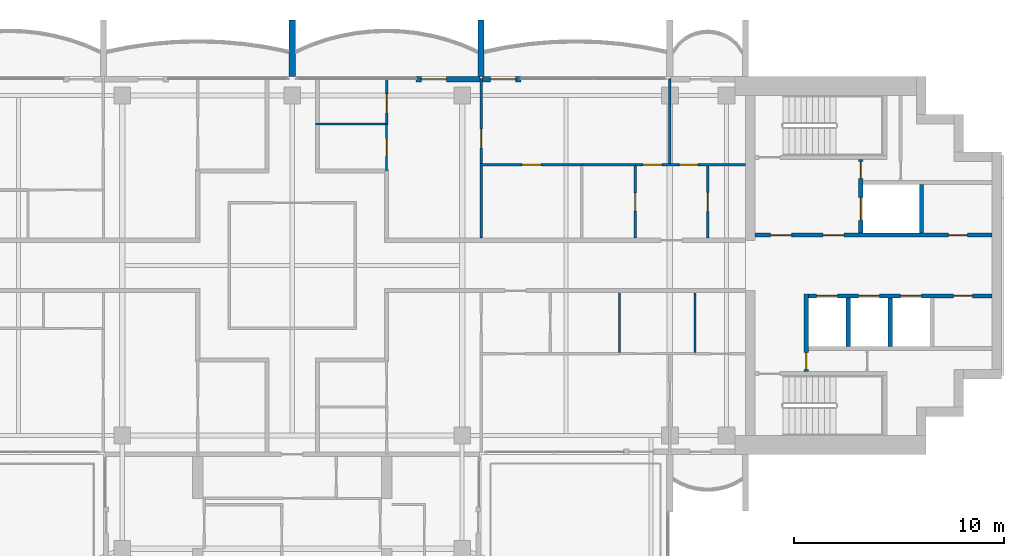
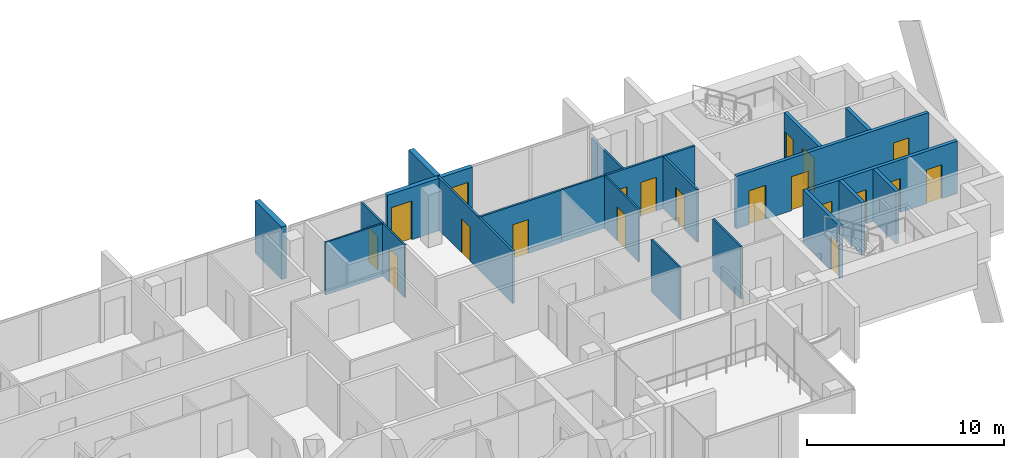
# One storey, part 11 of 16: 23 walls, 20 doors, 20 openings.
"""IFC4 building model written with IfcOpenShell, lengths in metres."""

from ifc_helpers import new_model, si_unit, direction, frame, frame_2d, origin, place, context, subcontext, project, spatial, rectangle, extrude, material, layer, layer_set, type_object, element, fill, save


model = new_model("IFC4")

# Units and contexts
model_context = context("Model", 3, precision=1e-05, world=origin(), true_north=direction((0.0, 1.0)))
body_context = subcontext(model_context, "Body", "Model", "MODEL_VIEW")
ifc_project = project(units=[si_unit("LENGTHUNIT", "METRE"), si_unit("AREAUNIT", "SQUARE_METRE"), si_unit("VOLUMEUNIT", "CUBIC_METRE"), si_unit("PLANEANGLEUNIT", "RADIAN"), si_unit("MASSUNIT", "GRAM", prefix="KILO")], contexts=[model_context])

# Site, building, storey
site_placement = place(None, origin())
site = spatial("IfcSite", under=ifc_project, at=site_placement, CompositionType="ELEMENT")
building_placement = place(site_placement, origin())
building = spatial("IfcBuilding", under=site, at=building_placement, Name="Perihelion Cross Residences", CompositionType="ELEMENT")
storey_placement = place(building_placement, frame((0.0, 0.0, 264.0)))
storey = spatial("IfcBuildingStorey", under=building, at=storey_placement, Name="L67", CompositionType="ELEMENT", Elevation=264.0)

# Wall, opening, door
ifc_material_1 = material(Name="Concrete C30/37, bronze-clad", Category="concrete")
ifc_layer_1 = layer(ifc_material_1, 0.25)
ifc_layer_set_1 = layer_set([ifc_layer_1], Name="Bronze-clad pier wall 250")
wall_type_1 = type_object("IfcWallType", Name="Bronze-clad pier wall 250", PredefinedType="SOLIDWALL", material=ifc_layer_set_1)
wall_1_placement = place(storey_placement, frame((10.89990234375, 8.875, 0.0), z_axis=(0.0, 0.0, 1.0), x_axis=(-1.0, 0.0, 0.0)))
wall_1 = element("IfcWall", 1, at=wall_1_placement, inside=storey, type_object=wall_type_1, Name="Wall FW1 L67 east side north bay 2 pier", PredefinedType="SOLIDWALL", context=body_context, shape_type="SweptSolid", body=[
    extrude(rectangle(XDim=1.83984375, YDim=0.25, at=frame_2d((0.919921875, 0.0))), origin(), (0.0, 0.0, 1.0), 3.25),
])
opening_1_placement = place(wall_1_placement, frame((0.25, 0.0, 0.0)))
opening_1 = element("IfcOpeningElement", 2, at=opening_1_placement, cuts=wall_1, Name="Opening L67.E02", PredefinedType="OPENING", context=body_context, shape_type="SweptSolid", body=[
    extrude(rectangle(XDim=1.199951171875, YDim=2.39990234375, at=frame_2d((0.60009765625, 1.199951171875))), frame((0.0, 0.135009765625, 0.0), z_axis=(0.0, -1.0, 0.0), x_axis=(1.0, 0.0, 0.0)), (0.0, 0.0, 1.0), 0.27001953125),
])
ifc_material_2 = material(Name="Bronze anodised aluminium, glazed", Category="aluminium")
door_type_1 = type_object("IfcDoorType", Name="Balcony door 1200 x 2400", OperationType="NOTDEFINED", PredefinedType="DOOR", material=ifc_material_2)
door_1_placement = place(opening_1_placement, origin())
door_1 = element("IfcDoor", 3, at=door_1_placement, inside=storey, type_object=door_type_1, Name="Door L67.E02 east side north bay 2", OperationType="SINGLE_SWING_RIGHT", OverallHeight=2.39990234375, OverallWidth=1.199951171875, PredefinedType="DOOR", context=body_context, shape_type="SweptSolid", body=[
    extrude(rectangle(XDim=1.199951171875, YDim=2.39990234375, at=frame_2d((0.60009765625, 1.199951171875))), frame((0.0, 0.02490234375, 0.0), z_axis=(0.0, -1.0, 0.0), x_axis=(1.0, 0.0, 0.0)), (0.0, 0.0, 1.0), 0.050048828125),
])
fill(opening_1, door_1)

wall_2_placement = place(storey_placement, frame((8.93994140625, 8.875, 0.0), z_axis=(0.0, 0.0, 1.0), x_axis=(-1.0, 0.0, 0.0)))
wall_2 = element("IfcWall", 4, at=wall_2_placement, inside=storey, type_object=wall_type_1, Name="Wall FW1 L67 north side east bay 1 pier", PredefinedType="SOLIDWALL", context=body_context, shape_type="SweptSolid", body=[
    extrude(rectangle(XDim=3.0400390625, YDim=0.25, at=frame_2d((1.52001953125, 0.0))), origin(), (0.0, 0.0, 1.0), 3.25),
])
opening_2_placement = place(wall_2_placement, frame((1.590087890625, 0.0, 0.0)))
opening_2 = element("IfcOpeningElement", 5, at=opening_2_placement, cuts=wall_2, Name="Opening L67.E03", PredefinedType="OPENING", context=body_context, shape_type="SweptSolid", body=[
    extrude(rectangle(XDim=1.199951171875, YDim=2.39990234375, at=frame_2d((0.60009765625, 1.199951171875))), frame((0.0, 0.135009765625, 0.0), z_axis=(0.0, -1.0, 0.0), x_axis=(1.0, 0.0, 0.0)), (0.0, 0.0, 1.0), 0.27001953125),
])
door_2_placement = place(opening_2_placement, origin())
door_2 = element("IfcDoor", 6, at=door_2_placement, inside=storey, type_object=door_type_1, Name="Door L67.E03 north side east bay 1", OperationType="SINGLE_SWING_LEFT", OverallHeight=2.39990234375, OverallWidth=1.199951171875, PredefinedType="DOOR", context=body_context, shape_type="SweptSolid", body=[
    extrude(rectangle(XDim=1.199951171875, YDim=2.39990234375, at=frame_2d((0.60009765625, 1.199951171875))), frame((0.0, 0.02490234375, 0.0), z_axis=(0.0, -1.0, 0.0), x_axis=(1.0, 0.0, 0.0)), (0.0, 0.0, 1.0), 0.050048828125),
])
fill(opening_2, door_2)

ifc_material_3 = material(Name="Concrete C50/60", Category="concrete")
ifc_layer_2 = layer(ifc_material_3, 0.199951171875)
ifc_layer_set_2 = layer_set([ifc_layer_2], Name="Lobby wall 200")
wall_type_2 = type_object("IfcWallType", Name="Lobby wall 200", PredefinedType="SOLIDWALL", material=ifc_layer_set_2)
wall_3_placement = place(storey_placement, frame((24.5, -5.050048828125, 0.0), z_axis=(0.0, 0.0, 1.0), x_axis=(0.0, 1.0, 0.0)))
wall_3 = element("IfcWall", 7, at=wall_3_placement, inside=storey, type_object=wall_type_2, Name="East core lobby wall", PredefinedType="SOLIDWALL", context=body_context, shape_type="SweptSolid", body=[
    extrude(rectangle(XDim=3.699951171875, YDim=0.199951171875, at=frame_2d((1.85009765625, 0.0))), origin(), (0.0, 0.0, 1.0), 3.25),
])
opening_3_placement = place(wall_3_placement, frame((0.10009765625, 0.0, 0.0)))
opening_3 = element("IfcOpeningElement", 8, at=opening_3_placement, cuts=wall_3, Name="Opening L67.C08", PredefinedType="OPENING", context=body_context, shape_type="SweptSolid", body=[
    extrude(rectangle(XDim=0.800048828125, YDim=2.10009765625, at=frame_2d((0.39990234375, 1.050048828125))), frame((0.0, 0.10986328125, 0.0), z_axis=(0.0, -1.0, 0.0), x_axis=(1.0, 0.0, 0.0)), (0.0, 0.0, 1.0), 0.219970703125),
])
ifc_material_4 = material(Name="Steel, powder coated", Category="steel")
door_type_2 = type_object("IfcDoorType", Name="Riser door 800", OperationType="SINGLE_SWING_LEFT", PredefinedType="DOOR", material=ifc_material_4)
door_3_placement = place(opening_3_placement, origin())
door_3 = element("IfcDoor", 9, at=door_3_placement, inside=storey, type_object=door_type_2, Name="East core riser door", OperationType="SINGLE_SWING_LEFT", OverallHeight=2.10009765625, OverallWidth=0.800048828125, PredefinedType="DOOR", context=body_context, shape_type="SweptSolid", body=[
    extrude(rectangle(XDim=0.800048828125, YDim=2.10009765625, at=frame_2d((0.39990234375, 1.050048828125))), frame((0.0, 0.02490234375, 0.0), z_axis=(0.0, -1.0, 0.0), x_axis=(1.0, 0.0, 0.0)), (0.0, 0.0, 1.0), 0.050048828125),
])
fill(opening_3, door_3)

ifc_material_5 = material(Name="Plasterboard partition")
ifc_layer_3 = layer(ifc_material_5, 0.1201171875)
ifc_layer_set_3 = layer_set([ifc_layer_3], Name="Partition wall 120")
wall_type_3 = type_object("IfcWallType", Name="Partition wall 120", PredefinedType="PARTITIONING", material=ifc_layer_set_3)
wall_4_placement = place(storey_placement, frame((8.93994140625, 4.800048828125, 0.0), z_axis=(0.0, 0.0, 1.0), x_axis=(1.0, 0.0, 0.0)))
wall_4 = element("IfcWall", 10, at=wall_4_placement, inside=storey, type_object=wall_type_3, Name="Partition L67 W023", PredefinedType="PARTITIONING", context=body_context, shape_type="SweptSolid", body=[
    extrude(rectangle(XDim=4.860107421875, YDim=0.1201171875, at=frame_2d((2.43017578125, 0.0))), origin(), (0.0, 0.0, 1.0), 3.25),
])
opening_4_placement = place(wall_4_placement, frame((2.010009765625, 0.0, 0.0)))
opening_4 = element("IfcOpeningElement", 11, at=opening_4_placement, cuts=wall_4, Name="Opening L67.A05", PredefinedType="OPENING", context=body_context, shape_type="SweptSolid", body=[
    extrude(rectangle(XDim=0.89990234375, YDim=2.10009765625, at=frame_2d((0.449951171875, 1.050048828125))), frame((0.0, 0.070068359375, 0.0), z_axis=(0.0, -1.0, 0.0), x_axis=(1.0, 0.0, 0.0)), (0.0, 0.0, 1.0), 0.14013671875),
])
ifc_material_6 = material(Name="Timber door leaf", Category="wood")
door_type_3 = type_object("IfcDoorType", Name="Interior room door 900 x 2100", OperationType="SINGLE_SWING_LEFT", PredefinedType="DOOR", material=ifc_material_6)
door_4_placement = place(opening_4_placement, origin())
door_4 = element("IfcDoor", 12, at=door_4_placement, inside=storey, type_object=door_type_3, Name="Door L67.A05", OperationType="SINGLE_SWING_RIGHT", OverallHeight=2.10009765625, OverallWidth=0.89990234375, PredefinedType="DOOR", context=body_context, shape_type="SweptSolid", body=[
    extrude(rectangle(XDim=0.89990234375, YDim=2.10009765625, at=frame_2d((0.449951171875, 1.050048828125))), frame((0.0, 0.02490234375, 0.0), z_axis=(0.0, -1.0, 0.0), x_axis=(1.0, 0.0, 0.0)), (0.0, 0.0, 1.0), 0.050048828125),
])
fill(opening_4, door_4)

wall_5_placement = place(storey_placement, frame((9.0, 1.300048828125, 0.0), z_axis=(0.0, 0.0, 1.0), x_axis=(0.0, 1.0, 0.0)))
wall_5 = element("IfcWall", 13, at=wall_5_placement, inside=storey, type_object=wall_type_3, Name="Partition L67 W024", PredefinedType="PARTITIONING", context=body_context, shape_type="SweptSolid", body=[
    extrude(rectangle(XDim=7.619873046875, YDim=0.1201171875, at=frame_2d((3.81005859375, 0.0))), origin(), (0.0, 0.0, 1.0), 3.25),
])
opening_5_placement = place(wall_5_placement, frame((4.300048828125, 0.0, 0.0)))
opening_5 = element("IfcOpeningElement", 14, at=opening_5_placement, cuts=wall_5, Name="Opening L67.A04", PredefinedType="OPENING", context=body_context, shape_type="SweptSolid", body=[
    extrude(rectangle(XDim=0.89990234375, YDim=2.10009765625, at=frame_2d((0.449951171875, 1.050048828125))), frame((0.0, 0.070068359375, 0.0), z_axis=(0.0, -1.0, 0.0), x_axis=(1.0, 0.0, 0.0)), (0.0, 0.0, 1.0), 0.14013671875),
])
door_5_placement = place(opening_5_placement, origin())
door_5 = element("IfcDoor", 15, at=door_5_placement, inside=storey, type_object=door_type_3, Name="Door L67.A04", OperationType="SINGLE_SWING_RIGHT", OverallHeight=2.10009765625, OverallWidth=0.89990234375, PredefinedType="DOOR", context=body_context, shape_type="SweptSolid", body=[
    extrude(rectangle(XDim=0.89990234375, YDim=2.10009765625, at=frame_2d((0.449951171875, 1.050048828125))), frame((0.0, 0.02490234375, 0.0), z_axis=(0.0, -1.0, 0.0), x_axis=(1.0, 0.0, 0.0)), (0.0, 0.0, 1.0), 0.050048828125),
])
fill(opening_5, door_5)

wall_6_placement = place(storey_placement, frame((19.800048828125, 4.739990234375, 0.0), z_axis=(0.0, 0.0, 1.0), x_axis=(0.0, -1.0, 0.0)))
wall_6 = element("IfcWall", 16, at=wall_6_placement, inside=storey, type_object=wall_type_3, Name="Partition L67 W027", PredefinedType="PARTITIONING", context=body_context, shape_type="SweptSolid", body=[
    extrude(rectangle(XDim=3.43994140625, YDim=0.1201171875, at=frame_2d((1.719970703125, 0.0))), origin(), (0.0, 0.0, 1.0), 3.25),
])
opening_6_placement = place(wall_6_placement, frame((1.27001953125, 0.0, 0.0)))
opening_6 = element("IfcOpeningElement", 17, at=opening_6_placement, cuts=wall_6, Name="Opening L67.A09", PredefinedType="OPENING", context=body_context, shape_type="SweptSolid", body=[
    extrude(rectangle(XDim=0.89990234375, YDim=2.10009765625, at=frame_2d((0.449951171875, 1.050048828125))), frame((0.0, 0.070068359375, 0.0), z_axis=(0.0, -1.0, 0.0), x_axis=(1.0, 0.0, 0.0)), (0.0, 0.0, 1.0), 0.14013671875),
])
door_6_placement = place(opening_6_placement, origin())
door_6 = element("IfcDoor", 18, at=door_6_placement, inside=storey, type_object=door_type_3, Name="Door L67.A09", OperationType="SINGLE_SWING_RIGHT", OverallHeight=2.10009765625, OverallWidth=0.89990234375, PredefinedType="DOOR", context=body_context, shape_type="SweptSolid", body=[
    extrude(rectangle(XDim=0.89990234375, YDim=2.10009765625, at=frame_2d((0.449951171875, 1.050048828125))), frame((0.0, 0.02490234375, 0.0), z_axis=(0.0, -1.0, 0.0), x_axis=(1.0, 0.0, 0.0)), (0.0, 0.0, 1.0), 0.050048828125),
])
fill(opening_6, door_6)

# Wall, openings, doors
wall_7_placement = place(storey_placement, frame((16.35009765625, 4.800048828125, 0.0), z_axis=(0.0, 0.0, 1.0), x_axis=(1.0, 0.0, 0.0)))
wall_7 = element("IfcWall", 19, at=wall_7_placement, inside=storey, type_object=wall_type_3, Name="Partition L67 W028", PredefinedType="PARTITIONING", context=body_context, shape_type="SweptSolid", body=[
    extrude(rectangle(XDim=5.25, YDim=0.1201171875, at=frame_2d((2.625, 0.0))), origin(), (0.0, 0.0, 1.0), 3.25),
])
opening_7_placement = place(wall_7_placement, frame((2.10009765625, 0.0, 0.0)))
opening_7 = element("IfcOpeningElement", 20, at=opening_7_placement, cuts=wall_7, Name="Opening L67.A07", PredefinedType="OPENING", context=body_context, shape_type="SweptSolid", body=[
    extrude(rectangle(XDim=0.89990234375, YDim=2.10009765625, at=frame_2d((0.449951171875, 1.050048828125))), frame((0.0, 0.070068359375, 0.0), z_axis=(0.0, -1.0, 0.0), x_axis=(1.0, 0.0, 0.0)), (0.0, 0.0, 1.0), 0.14013671875),
])
opening_8_placement = place(wall_7_placement, frame((0.375, 0.0, 0.0)))
opening_8 = element("IfcOpeningElement", 21, at=opening_8_placement, cuts=wall_7, Name="Opening L67.A08", PredefinedType="OPENING", context=body_context, shape_type="SweptSolid", body=[
    extrude(rectangle(XDim=0.89990234375, YDim=2.10009765625, at=frame_2d((0.449951171875, 1.050048828125))), frame((0.0, 0.070068359375, 0.0), z_axis=(0.0, -1.0, 0.0), x_axis=(1.0, 0.0, 0.0)), (0.0, 0.0, 1.0), 0.14013671875),
])
door_7_placement = place(opening_7_placement, origin())
door_7 = element("IfcDoor", 22, at=door_7_placement, inside=storey, type_object=door_type_3, Name="Door L67.A07", OperationType="SINGLE_SWING_LEFT", OverallHeight=2.10009765625, OverallWidth=0.89990234375, PredefinedType="DOOR", context=body_context, shape_type="SweptSolid", body=[
    extrude(rectangle(XDim=0.89990234375, YDim=2.10009765625, at=frame_2d((0.449951171875, 1.050048828125))), frame((0.0, 0.02490234375, 0.0), z_axis=(0.0, -1.0, 0.0), x_axis=(1.0, 0.0, 0.0)), (0.0, 0.0, 1.0), 0.050048828125),
])
fill(opening_7, door_7)
door_8_placement = place(opening_8_placement, origin())
door_8 = element("IfcDoor", 23, at=door_8_placement, inside=storey, type_object=door_type_3, Name="Door L67.A08", OperationType="SINGLE_SWING_RIGHT", OverallHeight=2.10009765625, OverallWidth=0.89990234375, PredefinedType="DOOR", context=body_context, shape_type="SweptSolid", body=[
    extrude(rectangle(XDim=0.89990234375, YDim=2.10009765625, at=frame_2d((0.449951171875, 1.050048828125))), frame((0.0, 0.02490234375, 0.0), z_axis=(0.0, -1.0, 0.0), x_axis=(1.0, 0.0, 0.0)), (0.0, 0.0, 1.0), 0.050048828125),
])
fill(opening_8, door_8)

# Wall
wall_8_placement = place(storey_placement, frame((18.0, 8.919921875, 0.0), z_axis=(0.0, 0.0, 1.0), x_axis=(0.0, -1.0, 0.0)))
element("IfcWall", 24, at=wall_8_placement, inside=storey, type_object=wall_type_3, Name="Partition L67 W029", PredefinedType="PARTITIONING", context=body_context, shape_type="SweptSolid", body=[
    extrude(rectangle(XDim=4.059814453125, YDim=0.1201171875, at=frame_2d((2.02978515625, 0.0))), origin(), (0.0, 0.0, 1.0), 2.49609375),
])

# Wall, opening, door
wall_9_placement = place(storey_placement, frame((4.5, 6.75, 0.0), z_axis=(0.0, 0.0, 1.0), x_axis=(0.0, 1.0, 0.0)))
wall_9 = element("IfcWall", 25, at=wall_9_placement, inside=storey, type_object=wall_type_3, Name="Partition L67 W031", PredefinedType="PARTITIONING", context=body_context, shape_type="SweptSolid", body=[
    extrude(rectangle(XDim=2.169921875, YDim=0.1201171875, at=frame_2d((1.0849609375, 0.0))), origin(), (0.0, 0.0, 1.0), 3.25),
])
opening_9_placement = place(wall_9_placement, frame((0.52490234375, 0.0, 0.0)))
opening_9 = element("IfcOpeningElement", 26, at=opening_9_placement, cuts=wall_9, Name="Opening L67.A06", PredefinedType="OPENING", context=body_context, shape_type="SweptSolid", body=[
    extrude(rectangle(XDim=0.89990234375, YDim=2.10009765625, at=frame_2d((0.449951171875, 1.050048828125))), frame((0.0, 0.070068359375, 0.0), z_axis=(0.0, -1.0, 0.0), x_axis=(1.0, 0.0, 0.0)), (0.0, 0.0, 1.0), 0.14013671875),
])
door_9_placement = place(opening_9_placement, origin())
door_9 = element("IfcDoor", 27, at=door_9_placement, inside=storey, type_object=door_type_3, Name="Door L67.A06", OperationType="SINGLE_SWING_RIGHT", OverallHeight=2.10009765625, OverallWidth=0.89990234375, PredefinedType="DOOR", context=body_context, shape_type="SweptSolid", body=[
    extrude(rectangle(XDim=0.89990234375, YDim=2.10009765625, at=frame_2d((0.449951171875, 1.050048828125))), frame((0.0, 0.02490234375, 0.0), z_axis=(0.0, -1.0, 0.0), x_axis=(1.0, 0.0, 0.0)), (0.0, 0.0, 1.0), 0.050048828125),
])
fill(opening_9, door_9)

# Walls
ifc_material_7 = material(Name="Precast concrete C50/60", Category="concrete")
ifc_layer_4 = layer(ifc_material_7, 0.300048828125)
ifc_layer_set_4 = layer_set([ifc_layer_4], Name="Precast concrete C50/60 blade wall 300")
wall_type_4 = type_object("IfcWallType", Name="Precast concrete C50/60 blade wall 300", PredefinedType="SOLIDWALL", material=ifc_layer_set_4)
for number, where, z_axis, x_axis, name in (
    (28, (0.0, 9.0, 0.0), (0.0, 0.0, 1.0), (0.0, 1.0, 0.0), "Wall BL1 L67 no. 9"),
    (29, (9.0, 9.0, 0.0), (0.0, 0.0, 1.0), (0.0, 1.0, 0.0), "Wall BL1 L67 no. 16"),
):
    element("IfcWall", number, at=place(storey_placement, frame(where, z_axis=z_axis, x_axis=x_axis)), inside=storey, type_object=wall_type_4, Name=name, PredefinedType="SOLIDWALL", context=body_context, shape_type="SweptSolid", body=[
        extrude(rectangle(XDim=2.699951171875, YDim=0.300048828125, at=frame_2d((1.35009765625, 0.0))), origin(), (0.0, 0.0, 1.0), 3.25),
    ])

# Wall, openings, doors
ifc_material_8 = material(Name="Concrete C50/60", Category="concrete")
ifc_layer_5 = layer(ifc_material_8, 0.199951171875)
ifc_layer_set_5 = layer_set([ifc_layer_5], Name="Shaft wall 200")
wall_type_5 = type_object("IfcWallType", Name="Shaft wall 200", PredefinedType="SOLIDWALL", material=ifc_layer_set_5)
wall_10_placement = place(storey_placement, frame((22.050048828125, 1.449951171875, 0.0), z_axis=(0.0, 0.0, 1.0), x_axis=(1.0, 0.0, 0.0)))
wall_10 = element("IfcWall", 30, at=wall_10_placement, inside=storey, type_object=wall_type_5, Name="East core shaft wall", PredefinedType="SOLIDWALL", context=body_context, shape_type="SweptSolid", body=[
    extrude(rectangle(XDim=11.300048828125, YDim=0.199951171875, at=frame_2d((5.64990234375, 0.0))), origin(), (0.0, 0.0, 1.0), 3.25),
])
opening_10_placement = place(wall_10_placement, frame((0.75, 0.0, 0.0)))
opening_10 = element("IfcOpeningElement", 31, at=opening_10_placement, cuts=wall_10, Name="Opening L67.C07", PredefinedType="OPENING", context=body_context, shape_type="SweptSolid", body=[
    extrude(rectangle(XDim=1.0, YDim=2.10009765625, at=frame_2d((0.5, 1.050048828125))), frame((0.0, 0.10986328125, 0.0), z_axis=(0.0, -1.0, 0.0), x_axis=(1.0, 0.0, 0.0)), (0.0, 0.0, 1.0), 0.219970703125),
])
opening_11_placement = place(wall_10_placement, frame((3.25, 0.0, 0.0)))
opening_11 = element("IfcOpeningElement", 32, at=opening_11_placement, cuts=wall_10, Name="Opening L67.C09", PredefinedType="OPENING", context=body_context, shape_type="SweptSolid", body=[
    extrude(rectangle(XDim=1.0, YDim=2.10009765625, at=frame_2d((0.5, 1.050048828125))), frame((0.0, 0.10986328125, 0.0), z_axis=(0.0, -1.0, 0.0), x_axis=(1.0, 0.0, 0.0)), (0.0, 0.0, 1.0), 0.219970703125),
])
opening_12_placement = place(wall_10_placement, frame((9.22509765625, 0.0, 0.0)))
opening_12 = element("IfcOpeningElement", 33, at=opening_12_placement, cuts=wall_10, Name="Opening L67.C13", PredefinedType="OPENING", context=body_context, shape_type="SweptSolid", body=[
    extrude(rectangle(XDim=0.89990234375, YDim=2.10009765625, at=frame_2d((0.449951171875, 1.050048828125))), frame((0.0, 0.10986328125, 0.0), z_axis=(0.0, -1.0, 0.0), x_axis=(1.0, 0.0, 0.0)), (0.0, 0.0, 1.0), 0.219970703125),
])
ifc_material_9 = material(Name="Steel, powder coated", Category="steel")
door_type_4 = type_object("IfcDoorType", Name="Lobby door 1000", OperationType="SINGLE_SWING_LEFT", PredefinedType="DOOR", material=ifc_material_9)
door_10_placement = place(opening_10_placement, origin())
door_10 = element("IfcDoor", 34, at=door_10_placement, inside=storey, type_object=door_type_4, Name="East core firefighting lobby door", OperationType="SINGLE_SWING_LEFT", OverallHeight=2.10009765625, OverallWidth=1.0, PredefinedType="DOOR", context=body_context, shape_type="SweptSolid", body=[
    extrude(rectangle(XDim=1.0, YDim=2.10009765625, at=frame_2d((0.5, 1.050048828125))), frame((0.0, 0.02490234375, 0.0), z_axis=(0.0, -1.0, 0.0), x_axis=(1.0, 0.0, 0.0)), (0.0, 0.0, 1.0), 0.050048828125),
])
fill(opening_10, door_10)
door_11_placement = place(opening_11_placement, origin())
door_11 = element("IfcDoor", 35, at=door_11_placement, inside=storey, type_object=door_type_4, Name="East core firefighting lobby door", OperationType="SINGLE_SWING_LEFT", OverallHeight=2.10009765625, OverallWidth=1.0, PredefinedType="DOOR", context=body_context, shape_type="SweptSolid", body=[
    extrude(rectangle(XDim=1.0, YDim=2.10009765625, at=frame_2d((0.5, 1.050048828125))), frame((0.0, 0.02490234375, 0.0), z_axis=(0.0, -1.0, 0.0), x_axis=(1.0, 0.0, 0.0)), (0.0, 0.0, 1.0), 0.050048828125),
])
fill(opening_11, door_11)
ifc_material_10 = material(Name="Steel, powder coated", Category="steel")
door_type_5 = type_object("IfcDoorType", Name="Service room door 900", OperationType="SINGLE_SWING_LEFT", PredefinedType="DOOR", material=ifc_material_10)
door_12_placement = place(opening_12_placement, origin())
door_12 = element("IfcDoor", 36, at=door_12_placement, inside=storey, type_object=door_type_5, Name="East core service room door", OperationType="SINGLE_SWING_LEFT", OverallHeight=2.10009765625, OverallWidth=0.89990234375, PredefinedType="DOOR", context=body_context, shape_type="SweptSolid", body=[
    extrude(rectangle(XDim=0.89990234375, YDim=2.10009765625, at=frame_2d((0.449951171875, 1.050048828125))), frame((0.0, 0.02490234375, 0.0), z_axis=(0.0, -1.0, 0.0), x_axis=(1.0, 0.0, 0.0)), (0.0, 0.0, 1.0), 0.050048828125),
])
fill(opening_12, door_12)

wall_11_placement = place(storey_placement, frame((24.60009765625, -1.449951171875, 0.0), z_axis=(0.0, 0.0, 1.0), x_axis=(1.0, 0.0, 0.0)))
wall_11 = element("IfcWall", 37, at=wall_11_placement, inside=storey, type_object=wall_type_5, Name="East core shaft wall", PredefinedType="SOLIDWALL", context=body_context, shape_type="SweptSolid", body=[
    extrude(rectangle(XDim=8.75, YDim=0.199951171875, at=frame_2d((4.375, 0.0))), origin(), (0.0, 0.0, 1.0), 3.25),
])
opening_13_placement = place(wall_11_placement, frame((0.39990234375, 0.0, 0.0)))
opening_13 = element("IfcOpeningElement", 38, at=opening_13_placement, cuts=wall_11, Name="Opening L67.C01", PredefinedType="OPENING", context=body_context, shape_type="SweptSolid", body=[
    extrude(rectangle(XDim=1.0, YDim=2.10009765625, at=frame_2d((0.5, 1.050048828125))), frame((0.0, 0.10986328125, 0.0), z_axis=(0.0, -1.0, 0.0), x_axis=(1.0, 0.0, 0.0)), (0.0, 0.0, 1.0), 0.219970703125),
])
opening_14_placement = place(wall_11_placement, frame((2.39990234375, 0.0, 0.0)))
opening_14 = element("IfcOpeningElement", 39, at=opening_14_placement, cuts=wall_11, Name="Opening L67.C03", PredefinedType="OPENING", context=body_context, shape_type="SweptSolid", body=[
    extrude(rectangle(XDim=1.0, YDim=2.10009765625, at=frame_2d((0.5, 1.050048828125))), frame((0.0, 0.10986328125, 0.0), z_axis=(0.0, -1.0, 0.0), x_axis=(1.0, 0.0, 0.0)), (0.0, 0.0, 1.0), 0.219970703125),
])
opening_15_placement = place(wall_11_placement, frame((4.39990234375, 0.0, 0.0)))
opening_15 = element("IfcOpeningElement", 40, at=opening_15_placement, cuts=wall_11, Name="Opening L67.C04", PredefinedType="OPENING", context=body_context, shape_type="SweptSolid", body=[
    extrude(rectangle(XDim=1.0, YDim=2.10009765625, at=frame_2d((0.5, 1.050048828125))), frame((0.0, 0.10986328125, 0.0), z_axis=(0.0, -1.0, 0.0), x_axis=(1.0, 0.0, 0.0)), (0.0, 0.0, 1.0), 0.219970703125),
])
opening_16_placement = place(wall_11_placement, frame((6.925048828125, 0.0, 0.0)))
opening_16 = element("IfcOpeningElement", 41, at=opening_16_placement, cuts=wall_11, Name="Opening L67.C14", PredefinedType="OPENING", context=body_context, shape_type="SweptSolid", body=[
    extrude(rectangle(XDim=0.89990234375, YDim=2.10009765625, at=frame_2d((0.449951171875, 1.050048828125))), frame((0.0, 0.10986328125, 0.0), z_axis=(0.0, -1.0, 0.0), x_axis=(1.0, 0.0, 0.0)), (0.0, 0.0, 1.0), 0.219970703125),
])
ifc_material_11 = material(Name="Stainless steel", Category="steel")
door_type_6 = type_object("IfcDoorType", Name="Landing door 1000", OperationType="DOUBLE_DOOR_SLIDING", PredefinedType="DOOR", material=ifc_material_11)
door_13_placement = place(opening_13_placement, origin())
door_13 = element("IfcDoor", 42, at=door_13_placement, inside=storey, type_object=door_type_6, Name="Landing door, East core high-rise lift 1", OperationType="DOUBLE_DOOR_SLIDING", OverallHeight=2.10009765625, OverallWidth=1.0, PredefinedType="DOOR", context=body_context, shape_type="SweptSolid", body=[
    extrude(rectangle(XDim=1.0, YDim=2.10009765625, at=frame_2d((0.5, 1.050048828125))), frame((0.0, 0.02490234375, 0.0), z_axis=(0.0, -1.0, 0.0), x_axis=(1.0, 0.0, 0.0)), (0.0, 0.0, 1.0), 0.050048828125),
])
fill(opening_13, door_13)
door_14_placement = place(opening_14_placement, origin())
door_14 = element("IfcDoor", 43, at=door_14_placement, inside=storey, type_object=door_type_6, Name="Landing door, East core high-rise lift 2", OperationType="DOUBLE_DOOR_SLIDING", OverallHeight=2.10009765625, OverallWidth=1.0, PredefinedType="DOOR", context=body_context, shape_type="SweptSolid", body=[
    extrude(rectangle(XDim=1.0, YDim=2.10009765625, at=frame_2d((0.5, 1.050048828125))), frame((0.0, 0.02490234375, 0.0), z_axis=(0.0, -1.0, 0.0), x_axis=(1.0, 0.0, 0.0)), (0.0, 0.0, 1.0), 0.050048828125),
])
fill(opening_14, door_14)
door_15_placement = place(opening_15_placement, origin())
door_15 = element("IfcDoor", 44, at=door_15_placement, inside=storey, type_object=door_type_6, Name="Landing door, East core high-rise lift 3", OperationType="DOUBLE_DOOR_SLIDING", OverallHeight=2.10009765625, OverallWidth=1.0, PredefinedType="DOOR", context=body_context, shape_type="SweptSolid", body=[
    extrude(rectangle(XDim=1.0, YDim=2.10009765625, at=frame_2d((0.5, 1.050048828125))), frame((0.0, 0.02490234375, 0.0), z_axis=(0.0, -1.0, 0.0), x_axis=(1.0, 0.0, 0.0)), (0.0, 0.0, 1.0), 0.050048828125),
])
fill(opening_15, door_15)
door_16_placement = place(opening_16_placement, origin())
door_16 = element("IfcDoor", 45, at=door_16_placement, inside=storey, type_object=door_type_5, Name="East core service room door", OperationType="SINGLE_SWING_LEFT", OverallHeight=2.10009765625, OverallWidth=0.89990234375, PredefinedType="DOOR", context=body_context, shape_type="SweptSolid", body=[
    extrude(rectangle(XDim=0.89990234375, YDim=2.10009765625, at=frame_2d((0.449951171875, 1.050048828125))), frame((0.0, 0.02490234375, 0.0), z_axis=(0.0, -1.0, 0.0), x_axis=(1.0, 0.0, 0.0)), (0.0, 0.0, 1.0), 0.050048828125),
])
fill(opening_16, door_16)

wall_12_placement = place(storey_placement, frame((27.10009765625, 1.550048828125, 0.0), z_axis=(0.0, 0.0, 1.0), x_axis=(0.0, 1.0, 0.0)))
wall_12 = element("IfcWall", 46, at=wall_12_placement, inside=storey, type_object=wall_type_5, Name="East core shaft wall", PredefinedType="SOLIDWALL", context=body_context, shape_type="SweptSolid", body=[
    extrude(rectangle(XDim=3.5, YDim=0.199951171875, at=frame_2d((1.75, 0.0))), origin(), (0.0, 0.0, 1.0), 3.25),
])
opening_17_placement = place(wall_12_placement, frame((0.60009765625, 0.0, 0.0)))
opening_17 = element("IfcOpeningElement", 47, at=opening_17_placement, cuts=wall_12, Name="Opening L67.C02", PredefinedType="OPENING", context=body_context, shape_type="SweptSolid", body=[
    extrude(rectangle(XDim=1.10009765625, YDim=2.10009765625, at=frame_2d((0.550048828125, 1.050048828125))), frame((0.0, 0.10986328125, 0.0), z_axis=(0.0, -1.0, 0.0), x_axis=(1.0, 0.0, 0.0)), (0.0, 0.0, 1.0), 0.219970703125),
])
opening_18_placement = place(wall_12_placement, frame((2.60009765625, 0.0, 0.0)))
opening_18 = element("IfcOpeningElement", 48, at=opening_18_placement, cuts=wall_12, Name="Opening L67.C10", PredefinedType="OPENING", context=body_context, shape_type="SweptSolid", body=[
    extrude(rectangle(XDim=0.800048828125, YDim=2.10009765625, at=frame_2d((0.39990234375, 1.050048828125))), frame((0.0, 0.10986328125, 0.0), z_axis=(0.0, -1.0, 0.0), x_axis=(1.0, 0.0, 0.0)), (0.0, 0.0, 1.0), 0.219970703125),
])
ifc_material_12 = material(Name="Stainless steel", Category="steel")
door_type_7 = type_object("IfcDoorType", Name="Landing door, firefighting lift 1100", OperationType="DOUBLE_DOOR_SLIDING", PredefinedType="DOOR", material=ifc_material_12)
door_17_placement = place(opening_17_placement, origin())
door_17 = element("IfcDoor", 49, at=door_17_placement, inside=storey, type_object=door_type_7, Name="Landing door, East core firefighting and service lift", OperationType="DOUBLE_DOOR_SLIDING", OverallHeight=2.10009765625, OverallWidth=1.10009765625, PredefinedType="DOOR", context=body_context, shape_type="SweptSolid", body=[
    extrude(rectangle(XDim=1.10009765625, YDim=2.10009765625, at=frame_2d((0.550048828125, 1.050048828125))), frame((0.0, 0.02490234375, 0.0), z_axis=(0.0, -1.0, 0.0), x_axis=(1.0, 0.0, 0.0)), (0.0, 0.0, 1.0), 0.050048828125),
])
fill(opening_17, door_17)
door_18_placement = place(opening_18_placement, origin())
door_18 = element("IfcDoor", 50, at=door_18_placement, inside=storey, type_object=door_type_2, Name="East core riser door", OperationType="SINGLE_SWING_LEFT", OverallHeight=2.10009765625, OverallWidth=0.800048828125, PredefinedType="DOOR", context=body_context, shape_type="SweptSolid", body=[
    extrude(rectangle(XDim=0.800048828125, YDim=2.10009765625, at=frame_2d((0.39990234375, 1.050048828125))), frame((0.0, 0.02490234375, 0.0), z_axis=(0.0, -1.0, 0.0), x_axis=(1.0, 0.0, 0.0)), (0.0, 0.0, 1.0), 0.050048828125),
])
fill(opening_18, door_18)

# Walls
for number, where, z_axis, x_axis, name in (
    (51, (30.0, 1.550048828125, 0.0), (0.0, 0.0, 1.0), (0.0, 1.0, 0.0), "East core shaft wall"),
    (52, (26.5, -3.85009765625, 0.0), (0.0, 0.0, 1.0), (0.0, 1.0, 0.0), "East core shaft wall"),
    (53, (28.5, -3.85009765625, 0.0), (0.0, 0.0, 1.0), (0.0, 1.0, 0.0), "East core shaft wall"),
):
    element("IfcWall", number, at=place(storey_placement, frame(where, z_axis=z_axis, x_axis=x_axis)), inside=storey, type_object=wall_type_5, Name=name, PredefinedType="SOLIDWALL", context=body_context, shape_type="SweptSolid", body=[
        extrude(rectangle(XDim=2.300048828125, YDim=0.199951171875, at=frame_2d((1.14990234375, 0.0))), origin(), (0.0, 0.0, 1.0), 3.25),
    ])

# Wall, opening, door
ifc_material_13 = material(Name="Plasterboard partition")
ifc_layer_6 = layer(ifc_material_13, 0.10009765625)
ifc_layer_set_6 = layer_set([ifc_layer_6], Name="Wet room wall 100")
wall_type_6 = type_object("IfcWallType", Name="Wet room wall 100", PredefinedType="PARTITIONING", material=ifc_layer_set_6)
wall_13_placement = place(storey_placement, frame((16.35009765625, 4.739990234375, 0.0), z_axis=(0.0, 0.0, 1.0), x_axis=(0.0, -1.0, 0.0)))
wall_13 = element("IfcWall", 54, at=wall_13_placement, inside=storey, type_object=wall_type_6, Name="Partition L67 W025", PredefinedType="PARTITIONING", context=body_context, shape_type="SweptSolid", body=[
    extrude(rectangle(XDim=3.43994140625, YDim=0.10009765625, at=frame_2d((1.719970703125, 0.0))), origin(), (0.0, 0.0, 1.0), 3.25),
])
opening_19_placement = place(wall_13_placement, frame((1.294921875, 0.0, 0.0)))
opening_19 = element("IfcOpeningElement", 55, at=opening_19_placement, cuts=wall_13, Name="Opening L67.A02", PredefinedType="OPENING", context=body_context, shape_type="SweptSolid", body=[
    extrude(rectangle(XDim=0.85009765625, YDim=2.10009765625, at=frame_2d((0.425048828125, 1.050048828125))), frame((0.0, 0.06005859375, 0.0), z_axis=(0.0, -1.0, 0.0), x_axis=(1.0, 0.0, 0.0)), (0.0, 0.0, 1.0), 0.1201171875),
])
ifc_material_14 = material(Name="Timber door leaf", Category="wood")
door_type_8 = type_object("IfcDoorType", Name="Interior bathroom door 850 x 2100", OperationType="SINGLE_SWING_LEFT", PredefinedType="DOOR", material=ifc_material_14)
door_19_placement = place(opening_19_placement, origin())
door_19 = element("IfcDoor", 56, at=door_19_placement, inside=storey, type_object=door_type_8, Name="Door L67.A02", OperationType="SINGLE_SWING_RIGHT", OverallHeight=2.10009765625, OverallWidth=0.85009765625, PredefinedType="DOOR", context=body_context, shape_type="SweptSolid", body=[
    extrude(rectangle(XDim=0.85009765625, YDim=2.10009765625, at=frame_2d((0.425048828125, 1.050048828125))), frame((0.0, 0.02490234375, 0.0), z_axis=(0.0, -1.0, 0.0), x_axis=(1.0, 0.0, 0.0)), (0.0, 0.0, 1.0), 0.050048828125),
])
fill(opening_19, door_19)

# Wall
wall_14_placement = place(storey_placement, frame((13.800048828125, 4.800048828125, 0.0), z_axis=(0.0, 0.0, 1.0), x_axis=(1.0, 0.0, 0.0)))
element("IfcWall", 57, at=wall_14_placement, inside=storey, type_object=wall_type_6, Name="Partition L67 W026", PredefinedType="PARTITIONING", context=body_context, shape_type="SweptSolid", body=[
    extrude(rectangle(XDim=2.550048828125, YDim=0.10009765625, at=frame_2d((1.27490234375, 0.0))), origin(), (0.0, 0.0, 1.0), 3.25),
])

# Wall, opening, door
wall_15_placement = place(storey_placement, frame((4.5, 4.5, 0.0), z_axis=(0.0, 0.0, 1.0), x_axis=(0.0, 1.0, 0.0)))
wall_15 = element("IfcWall", 58, at=wall_15_placement, inside=storey, type_object=wall_type_6, Name="Partition L67 W030", PredefinedType="PARTITIONING", context=body_context, shape_type="SweptSolid", body=[
    extrude(rectangle(XDim=2.25, YDim=0.10009765625, at=frame_2d((1.125, 0.0))), origin(), (0.0, 0.0, 1.0), 3.25),
])
opening_20_placement = place(wall_15_placement, frame((0.699951171875, 0.0, 0.0)))
opening_20 = element("IfcOpeningElement", 59, at=opening_20_placement, cuts=wall_15, Name="Opening L67.A03", PredefinedType="OPENING", context=body_context, shape_type="SweptSolid", body=[
    extrude(rectangle(XDim=0.85009765625, YDim=2.10009765625, at=frame_2d((0.425048828125, 1.050048828125))), frame((0.0, 0.06005859375, 0.0), z_axis=(0.0, -1.0, 0.0), x_axis=(1.0, 0.0, 0.0)), (0.0, 0.0, 1.0), 0.1201171875),
])
door_20_placement = place(opening_20_placement, origin())
door_20 = element("IfcDoor", 60, at=door_20_placement, inside=storey, type_object=door_type_8, Name="Door L67.A03", OperationType="SINGLE_SWING_LEFT", OverallHeight=2.10009765625, OverallWidth=0.85009765625, PredefinedType="DOOR", context=body_context, shape_type="SweptSolid", body=[
    extrude(rectangle(XDim=0.85009765625, YDim=2.10009765625, at=frame_2d((0.425048828125, 1.050048828125))), frame((0.0, 0.02490234375, 0.0), z_axis=(0.0, -1.0, 0.0), x_axis=(1.0, 0.0, 0.0)), (0.0, 0.0, 1.0), 0.050048828125),
])
fill(opening_20, door_20)

# Walls
wall_16_placement = place(storey_placement, frame((1.10009765625, 6.75, 0.0), z_axis=(0.0, 0.0, 1.0), x_axis=(1.0, 0.0, 0.0)))
element("IfcWall", 61, at=wall_16_placement, inside=storey, type_object=wall_type_6, Name="Partition L67 W032", PredefinedType="PARTITIONING", context=body_context, shape_type="SweptSolid", body=[
    extrude(rectangle(XDim=3.4599609375, YDim=0.10009765625, at=frame_2d((1.72998046875, 0.0))), origin(), (0.0, 0.0, 1.0), 3.25),
])
for number, where, z_axis, x_axis, name in (
    (62, (15.60009765625, -1.300048828125, 0.0), (0.0, 0.0, 1.0), (0.0, -1.0, 0.0), "Partition L67 W036"),
    (63, (19.199951171875, -1.300048828125, 0.0), (0.0, 0.0, 1.0), (0.0, -1.0, 0.0), "Partition L67 W037"),
):
    element("IfcWall", number, at=place(storey_placement, frame(where, z_axis=z_axis, x_axis=x_axis)), inside=storey, type_object=wall_type_6, Name=name, PredefinedType="PARTITIONING", context=body_context, shape_type="SweptSolid", body=[
        extrude(rectangle(XDim=2.83984375, YDim=0.10009765625, at=frame_2d((1.419921875, 0.0))), origin(), (0.0, 0.0, 1.0), 3.25),
    ])

save(model, "model.ifc")
